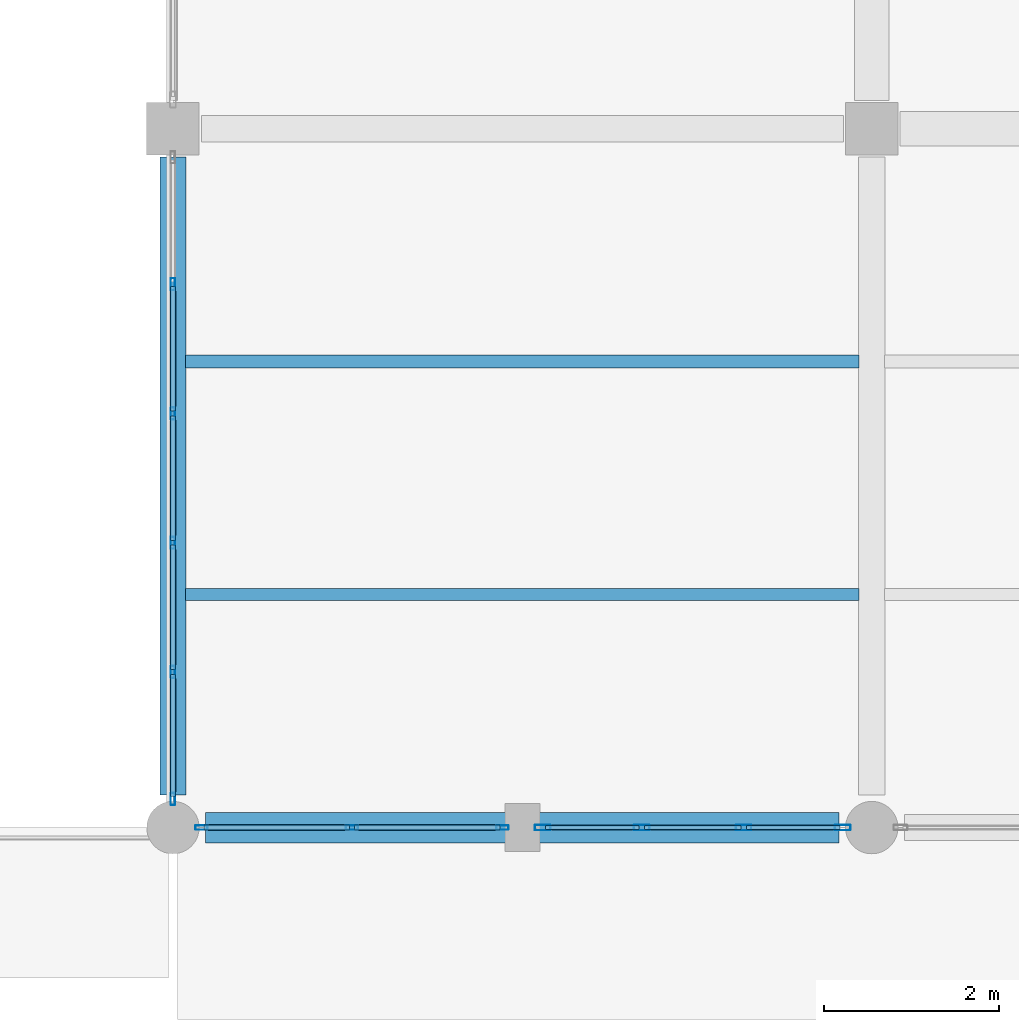
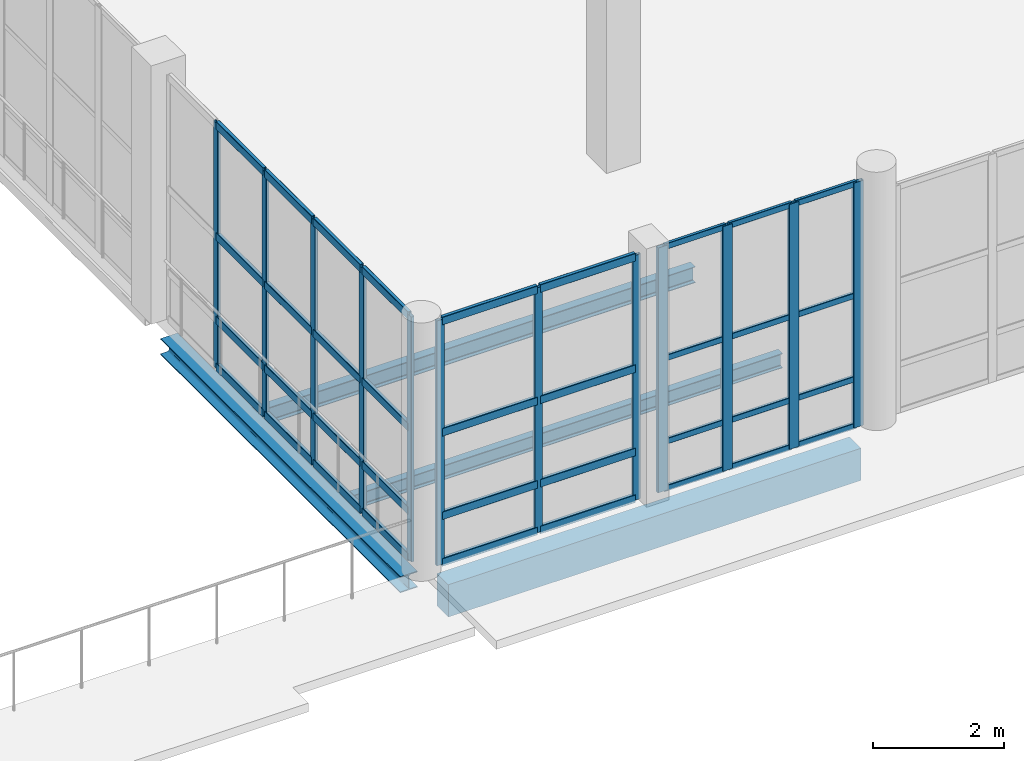
# One storey, part 41 of 156: 48 members, 4 beams, 3 elements without a shape of their own.
"""IFC4 building model written with IfcOpenShell, lengths in metres."""

from ifc_helpers import new_model, si_unit, direction, frame, origin, origin_2d, place, context, subcontext, project, spatial, rectangle, hollow_rectangle, i_section, extrude, material, material_profile, profile_set, type_object, element, aggregate, save


model = new_model("IFC4")

# Units and contexts
model_context = context("Model", 3, precision=1e-05, world=origin(), true_north=direction((0.0, 1.0)))
body_context = subcontext(model_context, "Body", "Model", "MODEL_VIEW")
ifc_project = project(units=[si_unit("LENGTHUNIT", "METRE"), si_unit("AREAUNIT", "SQUARE_METRE"), si_unit("VOLUMEUNIT", "CUBIC_METRE"), si_unit("PLANEANGLEUNIT", "RADIAN"), si_unit("MASSUNIT", "GRAM", prefix="KILO")], contexts=[model_context])

# Site, building, storey
site_placement = place(None, origin())
site = spatial("IfcSite", under=ifc_project, at=site_placement, CompositionType="ELEMENT")
building_placement = place(site_placement, origin())
building = spatial("IfcBuilding", under=site, at=building_placement, Name="Luwemba Playhouse", CompositionType="ELEMENT")
storey_placement = place(building_placement, origin())
storey = spatial("IfcBuildingStorey", under=building, at=storey_placement, Name="L00", CompositionType="ELEMENT", Elevation=0.0)

# Beams
ifc_material_1 = material(Name="Steel S355", Category="steel")
ifc_material_profile_1 = material_profile(ifc_material_1, i_section(OverallWidth=0.135009765625, OverallDepth=0.27001953125, WebThickness=0.006591796875, FlangeThickness=0.01025390625, FilletRadius=0.014892578125, at=origin_2d()))
ifc_profile_set_1 = profile_set([ifc_material_profile_1], Name="Steel S355")
beam_type_1 = type_object("IfcBeamType", Name="BM-SJ04", PredefinedType="JOIST", material=ifc_profile_set_1)
beam_1_placement = place(storey_placement, frame((116.14599609375, 5.666748046875, -0.43505859375), z_axis=(1.0, 0.0, 0.0), x_axis=(0.0, 1.0, 0.0)))
element("IfcBeam", 1, at=beam_1_placement, inside=storey, type_object=beam_type_1, Name="L00 composite floor joist 0156", PredefinedType="JOIST", context=body_context, shape_type="SweptSolid", body=[
    extrude(i_section(OverallWidth=0.135009765625, OverallDepth=0.27001953125, WebThickness=0.006591796875, FlangeThickness=0.01025390625, FilletRadius=0.014892578125, at=origin_2d()), origin(), (0.0, 0.0, 1.0), 7.7080078125),
])
ifc_material_profile_2 = material_profile(ifc_material_1, i_section(OverallWidth=0.14990234375, OverallDepth=0.300048828125, WebThickness=0.007080078125, FlangeThickness=0.0107421875, FilletRadius=0.014892578125, at=origin_2d()))
ifc_profile_set_2 = profile_set([ifc_material_profile_2], Name="Steel S355")
beam_type_2 = type_object("IfcBeamType", Name="BM-SJ05", PredefinedType="JOIST", material=ifc_profile_set_2)
beam_2_placement = place(storey_placement, frame((116.14599609375, 8.333251953125, -0.449951171875), z_axis=(1.0, 0.0, 0.0), x_axis=(0.0, 1.0, 0.0)))
element("IfcBeam", 2, at=beam_2_placement, inside=storey, type_object=beam_type_2, Name="L00 composite floor joist 0157", PredefinedType="JOIST", context=body_context, shape_type="SweptSolid", body=[
    extrude(i_section(OverallWidth=0.14990234375, OverallDepth=0.300048828125, WebThickness=0.007080078125, FlangeThickness=0.0107421875, FilletRadius=0.014892578125, at=origin_2d()), origin(), (0.0, 0.0, 1.0), 7.7080078125),
])
ifc_material_2 = material(Name="Concrete C40/50", Category="concrete")
ifc_material_profile_3 = material_profile(ifc_material_2, rectangle(XDim=0.35009765625, YDim=0.60009765625, at=origin_2d()))
ifc_profile_set_3 = profile_set([ifc_material_profile_3], Name="Concrete C40/50")
beam_type_3 = type_object("IfcBeamType", Name="BM-SP3", PredefinedType="SPANDREL", material=ifc_profile_set_3)
beam_3_placement = place(storey_placement, frame((116.375, 3.0, -0.60009765625), z_axis=(1.0, 0.0, 0.0), x_axis=(0.0, 1.0, 0.0)))
element("IfcBeam", 3, at=beam_3_placement, inside=storey, type_object=beam_type_3, Name="L00 grid girder 0202", PredefinedType="SPANDREL", context=body_context, shape_type="SweptSolid", body=[
    extrude(rectangle(XDim=0.35009765625, YDim=0.60009765625, at=origin_2d()), origin(), (0.0, 0.0, 1.0), 7.25),
])
ifc_material_profile_4 = material_profile(ifc_material_1, i_section(OverallWidth=0.300048828125, OverallDepth=0.300048828125, WebThickness=0.010986328125, FlangeThickness=0.01904296875, FilletRadius=0.027099609375, at=origin_2d()))
ifc_profile_set_4 = profile_set([ifc_material_profile_4], Name="Steel S355")
beam_type_4 = type_object("IfcBeamType", Name="BM-SSP1", PredefinedType="SPANDREL", material=ifc_profile_set_4)
beam_4_placement = place(storey_placement, frame((116.0, 3.375, -0.449951171875), z_axis=(0.0, 1.0, 0.0), x_axis=(-1.0, 0.0, 0.0)))
element("IfcBeam", 4, at=beam_4_placement, inside=storey, type_object=beam_type_4, Name="L00 transverse girder 0230", PredefinedType="SPANDREL", context=body_context, shape_type="SweptSolid", body=[
    extrude(i_section(OverallWidth=0.300048828125, OverallDepth=0.300048828125, WebThickness=0.010986328125, FlangeThickness=0.01904296875, FilletRadius=0.027099609375, at=origin_2d()), origin(), (0.0, 0.0, 1.0), 7.300048828125),
])

# Curtain wall, members
ifc_material_3 = material(Name="Solar-control double glazing", Category="glass")
curtain_wall_type_1 = type_object("IfcCurtainWallType", Name="CW-CW47", PredefinedType="USERDEFINED", material=ifc_material_3)
curtain_wall_1_placement = place(storey_placement, origin())
curtain_wall_1 = element("IfcCurtainWall", 5, at=curtain_wall_1_placement, inside=storey, type_object=curtain_wall_type_1, Name="L00 V5E unitised curtain wall 080", ObjectType="UNITISED GLAZING", PredefinedType="USERDEFINED")
ifc_material_4 = material(Name="Aluminium 6063-T6", Category="aluminium")
ifc_material_profile_5 = material_profile(ifc_material_4, hollow_rectangle(XDim=0.06494140625, YDim=0.179931640625, WallThickness=0.00439453125, InnerFilletRadius=0.0068359375, OuterFilletRadius=0.01123046875, at=origin_2d()))
ifc_profile_set_5 = profile_set([ifc_material_profile_5], Name="Aluminium 6063-T6")
member_type_1 = type_object("IfcMemberType", Name="CWM-M2", PredefinedType="MULLION", material=ifc_profile_set_5)
member_1_placement = place(storey_placement, frame((123.66748046875, 3.0, 0.0), z_axis=(0.0, 0.0, 1.0), x_axis=(0.0, -1.0, 0.0)))
member_1 = element("IfcMember", 6, at=member_1_placement, type_object=member_type_1, Name="CW47 mullion 1", PredefinedType="MULLION", context=body_context, shape_type="SweptSolid", body=[
    extrude(hollow_rectangle(XDim=0.06494140625, YDim=0.179931640625, WallThickness=0.00439453125, InnerFilletRadius=0.0068359375, OuterFilletRadius=0.01123046875, at=origin_2d()), origin(), (0.0, 0.0, 1.0), 4.550048828125),
])
member_2_placement = place(storey_placement, frame((122.533447265625, 3.0, 0.0), z_axis=(0.0, 0.0, 1.0), x_axis=(0.0, -1.0, 0.0)))
member_2 = element("IfcMember", 7, at=member_2_placement, type_object=member_type_1, Name="CW47 mullion 2", PredefinedType="MULLION", context=body_context, shape_type="SweptSolid", body=[
    extrude(hollow_rectangle(XDim=0.06494140625, YDim=0.179931640625, WallThickness=0.00439453125, InnerFilletRadius=0.0068359375, OuterFilletRadius=0.01123046875, at=origin_2d()), origin(), (0.0, 0.0, 1.0), 4.550048828125),
])
member_3_placement = place(storey_placement, frame((121.36669921875, 3.0, 0.0), z_axis=(0.0, 0.0, 1.0), x_axis=(0.0, -1.0, 0.0)))
member_3 = element("IfcMember", 8, at=member_3_placement, type_object=member_type_1, Name="CW47 mullion 3", PredefinedType="MULLION", context=body_context, shape_type="SweptSolid", body=[
    extrude(hollow_rectangle(XDim=0.06494140625, YDim=0.179931640625, WallThickness=0.00439453125, InnerFilletRadius=0.0068359375, OuterFilletRadius=0.01123046875, at=origin_2d()), origin(), (0.0, 0.0, 1.0), 4.550048828125),
])
member_4_placement = place(storey_placement, frame((120.232421875, 3.0, 0.0), z_axis=(0.0, 0.0, 1.0), x_axis=(0.0, -1.0, 0.0)))
member_4 = element("IfcMember", 9, at=member_4_placement, type_object=member_type_1, Name="CW47 mullion 4", PredefinedType="MULLION", context=body_context, shape_type="SweptSolid", body=[
    extrude(hollow_rectangle(XDim=0.06494140625, YDim=0.179931640625, WallThickness=0.00439453125, InnerFilletRadius=0.0068359375, OuterFilletRadius=0.01123046875, at=origin_2d()), origin(), (0.0, 0.0, 1.0), 4.550048828125),
])

curtain_wall_type_2 = type_object("IfcCurtainWallType", Name="CW-CW44", PredefinedType="USERDEFINED", material=ifc_material_3)
curtain_wall_2_placement = place(storey_placement, origin())
curtain_wall_2 = element("IfcCurtainWall", 10, at=curtain_wall_2_placement, inside=storey, type_object=curtain_wall_type_2, Name="L00 V5E unitised curtain wall 053", ObjectType="UNITISED GLAZING", PredefinedType="USERDEFINED")
ifc_material_profile_6 = material_profile(ifc_material_4, hollow_rectangle(XDim=0.054931640625, YDim=0.139892578125, WallThickness=0.00390625, InnerFilletRadius=0.006103515625, OuterFilletRadius=0.010009765625, at=origin_2d()))
ifc_profile_set_6 = profile_set([ifc_material_profile_6], Name="Aluminium 6063-T6")
member_type_2 = type_object("IfcMemberType", Name="CWM-M3", PredefinedType="MULLION", material=ifc_profile_set_6)
member_5_placement = place(storey_placement, frame((116.0, 3.327392578125, 0.0), z_axis=(0.0, 0.0, 1.0), x_axis=(-1.0, 0.0, 0.0)))
member_5 = element("IfcMember", 11, at=member_5_placement, type_object=member_type_2, Name="CW44 mullion 1", PredefinedType="MULLION", context=body_context, shape_type="SweptSolid", body=[
    extrude(hollow_rectangle(XDim=0.054931640625, YDim=0.139892578125, WallThickness=0.00390625, InnerFilletRadius=0.006103515625, OuterFilletRadius=0.010009765625, at=origin_2d()), origin(), (0.0, 0.0, 1.0), 4.550048828125),
])
member_6_placement = place(storey_placement, frame((116.0, 4.780029296875, 0.0), z_axis=(0.0, 0.0, 1.0), x_axis=(-1.0, 0.0, 0.0)))
member_6 = element("IfcMember", 12, at=member_6_placement, type_object=member_type_2, Name="CW44 mullion 2", PredefinedType="MULLION", context=body_context, shape_type="SweptSolid", body=[
    extrude(hollow_rectangle(XDim=0.054931640625, YDim=0.139892578125, WallThickness=0.00390625, InnerFilletRadius=0.006103515625, OuterFilletRadius=0.010009765625, at=origin_2d()), origin(), (0.0, 0.0, 1.0), 4.550048828125),
])
member_7_placement = place(storey_placement, frame((116.0, 6.260009765625, 0.0), z_axis=(0.0, 0.0, 1.0), x_axis=(-1.0, 0.0, 0.0)))
member_7 = element("IfcMember", 13, at=member_7_placement, type_object=member_type_2, Name="CW44 mullion 3", PredefinedType="MULLION", context=body_context, shape_type="SweptSolid", body=[
    extrude(hollow_rectangle(XDim=0.054931640625, YDim=0.139892578125, WallThickness=0.00390625, InnerFilletRadius=0.006103515625, OuterFilletRadius=0.010009765625, at=origin_2d()), origin(), (0.0, 0.0, 1.0), 4.550048828125),
])
member_8_placement = place(storey_placement, frame((116.0, 7.739990234375, 0.0), z_axis=(0.0, 0.0, 1.0), x_axis=(-1.0, 0.0, 0.0)))
member_8 = element("IfcMember", 14, at=member_8_placement, type_object=member_type_2, Name="CW44 mullion 4", PredefinedType="MULLION", context=body_context, shape_type="SweptSolid", body=[
    extrude(hollow_rectangle(XDim=0.054931640625, YDim=0.139892578125, WallThickness=0.00390625, InnerFilletRadius=0.006103515625, OuterFilletRadius=0.010009765625, at=origin_2d()), origin(), (0.0, 0.0, 1.0), 4.550048828125),
])
member_9_placement = place(storey_placement, frame((116.0, 9.219970703125, 0.0), z_axis=(0.0, 0.0, 1.0), x_axis=(-1.0, 0.0, 0.0)))
member_9 = element("IfcMember", 15, at=member_9_placement, type_object=member_type_2, Name="CW44 mullion 5", PredefinedType="MULLION", context=body_context, shape_type="SweptSolid", body=[
    extrude(hollow_rectangle(XDim=0.054931640625, YDim=0.139892578125, WallThickness=0.00390625, InnerFilletRadius=0.006103515625, OuterFilletRadius=0.010009765625, at=origin_2d()), origin(), (0.0, 0.0, 1.0), 4.550048828125),
])

curtain_wall_type_3 = type_object("IfcCurtainWallType", Name="CW-CW48", PredefinedType="USERDEFINED", material=ifc_material_3)
curtain_wall_3_placement = place(storey_placement, origin())
curtain_wall_3 = element("IfcCurtainWall", 16, at=curtain_wall_3_placement, inside=storey, type_object=curtain_wall_type_3, Name="L00 V5E unitised curtain wall 081", ObjectType="UNITISED GLAZING", PredefinedType="USERDEFINED")
member_10_placement = place(storey_placement, frame((119.7724609375, 3.0, 0.0), z_axis=(0.0, 0.0, 1.0), x_axis=(0.0, -1.0, 0.0)))
member_10 = element("IfcMember", 17, at=member_10_placement, type_object=member_type_2, Name="CW48 mullion 1", PredefinedType="MULLION", context=body_context, shape_type="SweptSolid", body=[
    extrude(hollow_rectangle(XDim=0.054931640625, YDim=0.139892578125, WallThickness=0.00390625, InnerFilletRadius=0.006103515625, OuterFilletRadius=0.010009765625, at=origin_2d()), origin(), (0.0, 0.0, 1.0), 4.550048828125),
])
member_11_placement = place(storey_placement, frame((118.050048828125, 3.0, 0.0), z_axis=(0.0, 0.0, 1.0), x_axis=(0.0, -1.0, 0.0)))
member_11 = element("IfcMember", 18, at=member_11_placement, type_object=member_type_2, Name="CW48 mullion 2", PredefinedType="MULLION", context=body_context, shape_type="SweptSolid", body=[
    extrude(hollow_rectangle(XDim=0.054931640625, YDim=0.139892578125, WallThickness=0.00390625, InnerFilletRadius=0.006103515625, OuterFilletRadius=0.010009765625, at=origin_2d()), origin(), (0.0, 0.0, 1.0), 4.550048828125),
])
member_12_placement = place(storey_placement, frame((116.327392578125, 3.0, 0.0), z_axis=(0.0, 0.0, 1.0), x_axis=(0.0, -1.0, 0.0)))
member_12 = element("IfcMember", 19, at=member_12_placement, type_object=member_type_2, Name="CW48 mullion 3", PredefinedType="MULLION", context=body_context, shape_type="SweptSolid", body=[
    extrude(hollow_rectangle(XDim=0.054931640625, YDim=0.139892578125, WallThickness=0.00390625, InnerFilletRadius=0.006103515625, OuterFilletRadius=0.010009765625, at=origin_2d()), origin(), (0.0, 0.0, 1.0), 4.550048828125),
])

# Member
ifc_material_profile_7 = material_profile(ifc_material_4, hollow_rectangle(XDim=0.054931640625, YDim=0.110107421875, WallThickness=0.00341796875, InnerFilletRadius=0.00537109375, OuterFilletRadius=0.0087890625, at=origin_2d()))
ifc_profile_set_7 = profile_set([ifc_material_profile_7], Name="Aluminium 6063-T6")
member_type_3 = type_object("IfcMemberType", Name="CWT-T2", PredefinedType="USERDEFINED", material=ifc_profile_set_7)
member_13_placement = place(storey_placement, frame((123.635009765625, 3.0, 0.027587890625), z_axis=(-1.0, 0.0, 0.0), x_axis=(0.0, -1.0, 0.0)))
member_13 = element("IfcMember", 20, at=member_13_placement, type_object=member_type_3, Name="CW47 transom 1.1", ObjectType="TRANSOM", PredefinedType="USERDEFINED", context=body_context, shape_type="SweptSolid", body=[
    extrude(hollow_rectangle(XDim=0.054931640625, YDim=0.110107421875, WallThickness=0.00341796875, InnerFilletRadius=0.00537109375, OuterFilletRadius=0.0087890625, at=origin_2d()), origin(), (0.0, 0.0, 1.0), 1.069091796875),
])

member_14_placement = place(storey_placement, frame((123.635009765625, 3.0, 0.89990234375), z_axis=(-1.0, 0.0, 0.0), x_axis=(0.0, -1.0, 0.0)))
member_14 = element("IfcMember", 21, at=member_14_placement, type_object=member_type_3, Name="CW47 transom 1.2", ObjectType="TRANSOM", PredefinedType="USERDEFINED", context=body_context, shape_type="SweptSolid", body=[
    extrude(hollow_rectangle(XDim=0.054931640625, YDim=0.110107421875, WallThickness=0.00341796875, InnerFilletRadius=0.00537109375, OuterFilletRadius=0.0087890625, at=origin_2d()), origin(), (0.0, 0.0, 1.0), 1.069091796875),
])

member_15_placement = place(storey_placement, frame((123.635009765625, 3.0, 2.449951171875), z_axis=(-1.0, 0.0, 0.0), x_axis=(0.0, -1.0, 0.0)))
member_15 = element("IfcMember", 22, at=member_15_placement, type_object=member_type_3, Name="CW47 transom 1.3", ObjectType="TRANSOM", PredefinedType="USERDEFINED", context=body_context, shape_type="SweptSolid", body=[
    extrude(hollow_rectangle(XDim=0.054931640625, YDim=0.110107421875, WallThickness=0.00341796875, InnerFilletRadius=0.00537109375, OuterFilletRadius=0.0087890625, at=origin_2d()), origin(), (0.0, 0.0, 1.0), 1.069091796875),
])

member_16_placement = place(storey_placement, frame((123.635009765625, 3.0, 4.5224609375), z_axis=(-1.0, 0.0, 0.0), x_axis=(0.0, -1.0, 0.0)))
member_16 = element("IfcMember", 23, at=member_16_placement, type_object=member_type_3, Name="CW47 transom 1.4", ObjectType="TRANSOM", PredefinedType="USERDEFINED", context=body_context, shape_type="SweptSolid", body=[
    extrude(hollow_rectangle(XDim=0.054931640625, YDim=0.110107421875, WallThickness=0.00341796875, InnerFilletRadius=0.00537109375, OuterFilletRadius=0.0087890625, at=origin_2d()), origin(), (0.0, 0.0, 1.0), 1.069091796875),
])

member_17_placement = place(storey_placement, frame((122.500732421875, 3.0, 0.027587890625), z_axis=(-1.0, 0.0, 0.0), x_axis=(0.0, -1.0, 0.0)))
member_17 = element("IfcMember", 24, at=member_17_placement, type_object=member_type_3, Name="CW47 transom 2.1", ObjectType="TRANSOM", PredefinedType="USERDEFINED", context=body_context, shape_type="SweptSolid", body=[
    extrude(hollow_rectangle(XDim=0.054931640625, YDim=0.110107421875, WallThickness=0.00341796875, InnerFilletRadius=0.00537109375, OuterFilletRadius=0.0087890625, at=origin_2d()), origin(), (0.0, 0.0, 1.0), 1.1015625),
])

member_18_placement = place(storey_placement, frame((122.500732421875, 3.0, 0.89990234375), z_axis=(-1.0, 0.0, 0.0), x_axis=(0.0, -1.0, 0.0)))
member_18 = element("IfcMember", 25, at=member_18_placement, type_object=member_type_3, Name="CW47 transom 2.2", ObjectType="TRANSOM", PredefinedType="USERDEFINED", context=body_context, shape_type="SweptSolid", body=[
    extrude(hollow_rectangle(XDim=0.054931640625, YDim=0.110107421875, WallThickness=0.00341796875, InnerFilletRadius=0.00537109375, OuterFilletRadius=0.0087890625, at=origin_2d()), origin(), (0.0, 0.0, 1.0), 1.1015625),
])

member_19_placement = place(storey_placement, frame((122.500732421875, 3.0, 2.449951171875), z_axis=(-1.0, 0.0, 0.0), x_axis=(0.0, -1.0, 0.0)))
member_19 = element("IfcMember", 26, at=member_19_placement, type_object=member_type_3, Name="CW47 transom 2.3", ObjectType="TRANSOM", PredefinedType="USERDEFINED", context=body_context, shape_type="SweptSolid", body=[
    extrude(hollow_rectangle(XDim=0.054931640625, YDim=0.110107421875, WallThickness=0.00341796875, InnerFilletRadius=0.00537109375, OuterFilletRadius=0.0087890625, at=origin_2d()), origin(), (0.0, 0.0, 1.0), 1.1015625),
])

member_20_placement = place(storey_placement, frame((122.500732421875, 3.0, 4.5224609375), z_axis=(-1.0, 0.0, 0.0), x_axis=(0.0, -1.0, 0.0)))
member_20 = element("IfcMember", 27, at=member_20_placement, type_object=member_type_3, Name="CW47 transom 2.4", ObjectType="TRANSOM", PredefinedType="USERDEFINED", context=body_context, shape_type="SweptSolid", body=[
    extrude(hollow_rectangle(XDim=0.054931640625, YDim=0.110107421875, WallThickness=0.00341796875, InnerFilletRadius=0.00537109375, OuterFilletRadius=0.0087890625, at=origin_2d()), origin(), (0.0, 0.0, 1.0), 1.1015625),
])

member_21_placement = place(storey_placement, frame((121.334228515625, 3.0, 0.027587890625), z_axis=(-1.0, 0.0, 0.0), x_axis=(0.0, -1.0, 0.0)))
member_21 = element("IfcMember", 28, at=member_21_placement, type_object=member_type_3, Name="CW47 transom 3.1", ObjectType="TRANSOM", PredefinedType="USERDEFINED", context=body_context, shape_type="SweptSolid", body=[
    extrude(hollow_rectangle(XDim=0.054931640625, YDim=0.110107421875, WallThickness=0.00341796875, InnerFilletRadius=0.00537109375, OuterFilletRadius=0.0087890625, at=origin_2d()), origin(), (0.0, 0.0, 1.0), 1.0693359375),
])

member_22_placement = place(storey_placement, frame((121.334228515625, 3.0, 0.89990234375), z_axis=(-1.0, 0.0, 0.0), x_axis=(0.0, -1.0, 0.0)))
member_22 = element("IfcMember", 29, at=member_22_placement, type_object=member_type_3, Name="CW47 transom 3.2", ObjectType="TRANSOM", PredefinedType="USERDEFINED", context=body_context, shape_type="SweptSolid", body=[
    extrude(hollow_rectangle(XDim=0.054931640625, YDim=0.110107421875, WallThickness=0.00341796875, InnerFilletRadius=0.00537109375, OuterFilletRadius=0.0087890625, at=origin_2d()), origin(), (0.0, 0.0, 1.0), 1.0693359375),
])

member_23_placement = place(storey_placement, frame((121.334228515625, 3.0, 2.449951171875), z_axis=(-1.0, 0.0, 0.0), x_axis=(0.0, -1.0, 0.0)))
member_23 = element("IfcMember", 30, at=member_23_placement, type_object=member_type_3, Name="CW47 transom 3.3", ObjectType="TRANSOM", PredefinedType="USERDEFINED", context=body_context, shape_type="SweptSolid", body=[
    extrude(hollow_rectangle(XDim=0.054931640625, YDim=0.110107421875, WallThickness=0.00341796875, InnerFilletRadius=0.00537109375, OuterFilletRadius=0.0087890625, at=origin_2d()), origin(), (0.0, 0.0, 1.0), 1.0693359375),
])

member_24_placement = place(storey_placement, frame((121.334228515625, 3.0, 4.5224609375), z_axis=(-1.0, 0.0, 0.0), x_axis=(0.0, -1.0, 0.0)))
member_24 = element("IfcMember", 31, at=member_24_placement, type_object=member_type_3, Name="CW47 transom 3.4", ObjectType="TRANSOM", PredefinedType="USERDEFINED", context=body_context, shape_type="SweptSolid", body=[
    extrude(hollow_rectangle(XDim=0.054931640625, YDim=0.110107421875, WallThickness=0.00341796875, InnerFilletRadius=0.00537109375, OuterFilletRadius=0.0087890625, at=origin_2d()), origin(), (0.0, 0.0, 1.0), 1.0693359375),
])

aggregate(curtain_wall_1, [member_1, member_2, member_3, member_4, member_13, member_14, member_15, member_16, member_17, member_18, member_19, member_20, member_21, member_22, member_23, member_24])

ifc_material_profile_8 = material_profile(ifc_material_4, hollow_rectangle(XDim=0.06494140625, YDim=0.14990234375, WallThickness=0.00390625, InnerFilletRadius=0.006103515625, OuterFilletRadius=0.010009765625, at=origin_2d()))
ifc_profile_set_8 = profile_set([ifc_material_profile_8], Name="Aluminium 6063-T6")
member_type_4 = type_object("IfcMemberType", Name="CWT-T3", PredefinedType="USERDEFINED", material=ifc_profile_set_8)
member_25_placement = place(storey_placement, frame((116.0, 3.35498046875, 0.032470703125), z_axis=(0.0, 1.0, 0.0), x_axis=(-1.0, 0.0, 0.0)))
member_25 = element("IfcMember", 32, at=member_25_placement, type_object=member_type_4, Name="CW44 transom 1.1", ObjectType="TRANSOM", PredefinedType="USERDEFINED", context=body_context, shape_type="SweptSolid", body=[
    extrude(hollow_rectangle(XDim=0.06494140625, YDim=0.14990234375, WallThickness=0.00390625, InnerFilletRadius=0.006103515625, OuterFilletRadius=0.010009765625, at=origin_2d()), origin(), (0.0, 0.0, 1.0), 1.3974609375),
])

member_26_placement = place(storey_placement, frame((116.0, 3.35498046875, 0.89990234375), z_axis=(0.0, 1.0, 0.0), x_axis=(-1.0, 0.0, 0.0)))
member_26 = element("IfcMember", 33, at=member_26_placement, type_object=member_type_4, Name="CW44 transom 1.2", ObjectType="TRANSOM", PredefinedType="USERDEFINED", context=body_context, shape_type="SweptSolid", body=[
    extrude(hollow_rectangle(XDim=0.06494140625, YDim=0.14990234375, WallThickness=0.00390625, InnerFilletRadius=0.006103515625, OuterFilletRadius=0.010009765625, at=origin_2d()), origin(), (0.0, 0.0, 1.0), 1.3974609375),
])

member_27_placement = place(storey_placement, frame((116.0, 3.35498046875, 2.449951171875), z_axis=(0.0, 1.0, 0.0), x_axis=(-1.0, 0.0, 0.0)))
member_27 = element("IfcMember", 34, at=member_27_placement, type_object=member_type_4, Name="CW44 transom 1.3", ObjectType="TRANSOM", PredefinedType="USERDEFINED", context=body_context, shape_type="SweptSolid", body=[
    extrude(hollow_rectangle(XDim=0.06494140625, YDim=0.14990234375, WallThickness=0.00390625, InnerFilletRadius=0.006103515625, OuterFilletRadius=0.010009765625, at=origin_2d()), origin(), (0.0, 0.0, 1.0), 1.3974609375),
])

member_28_placement = place(storey_placement, frame((116.0, 3.35498046875, 4.517578125), z_axis=(0.0, 1.0, 0.0), x_axis=(-1.0, 0.0, 0.0)))
member_28 = element("IfcMember", 35, at=member_28_placement, type_object=member_type_4, Name="CW44 transom 1.4", ObjectType="TRANSOM", PredefinedType="USERDEFINED", context=body_context, shape_type="SweptSolid", body=[
    extrude(hollow_rectangle(XDim=0.06494140625, YDim=0.14990234375, WallThickness=0.00390625, InnerFilletRadius=0.006103515625, OuterFilletRadius=0.010009765625, at=origin_2d()), origin(), (0.0, 0.0, 1.0), 1.3974609375),
])

member_29_placement = place(storey_placement, frame((116.0, 4.8076171875, 0.032470703125), z_axis=(0.0, 1.0, 0.0), x_axis=(-1.0, 0.0, 0.0)))
member_29 = element("IfcMember", 36, at=member_29_placement, type_object=member_type_4, Name="CW44 transom 2.1", ObjectType="TRANSOM", PredefinedType="USERDEFINED", context=body_context, shape_type="SweptSolid", body=[
    extrude(hollow_rectangle(XDim=0.06494140625, YDim=0.14990234375, WallThickness=0.00390625, InnerFilletRadius=0.006103515625, OuterFilletRadius=0.010009765625, at=origin_2d()), origin(), (0.0, 0.0, 1.0), 1.4248046875),
])

member_30_placement = place(storey_placement, frame((116.0, 4.8076171875, 0.89990234375), z_axis=(0.0, 1.0, 0.0), x_axis=(-1.0, 0.0, 0.0)))
member_30 = element("IfcMember", 37, at=member_30_placement, type_object=member_type_4, Name="CW44 transom 2.2", ObjectType="TRANSOM", PredefinedType="USERDEFINED", context=body_context, shape_type="SweptSolid", body=[
    extrude(hollow_rectangle(XDim=0.06494140625, YDim=0.14990234375, WallThickness=0.00390625, InnerFilletRadius=0.006103515625, OuterFilletRadius=0.010009765625, at=origin_2d()), origin(), (0.0, 0.0, 1.0), 1.4248046875),
])

member_31_placement = place(storey_placement, frame((116.0, 4.8076171875, 2.449951171875), z_axis=(0.0, 1.0, 0.0), x_axis=(-1.0, 0.0, 0.0)))
member_31 = element("IfcMember", 38, at=member_31_placement, type_object=member_type_4, Name="CW44 transom 2.3", ObjectType="TRANSOM", PredefinedType="USERDEFINED", context=body_context, shape_type="SweptSolid", body=[
    extrude(hollow_rectangle(XDim=0.06494140625, YDim=0.14990234375, WallThickness=0.00390625, InnerFilletRadius=0.006103515625, OuterFilletRadius=0.010009765625, at=origin_2d()), origin(), (0.0, 0.0, 1.0), 1.4248046875),
])

member_32_placement = place(storey_placement, frame((116.0, 4.8076171875, 4.517578125), z_axis=(0.0, 1.0, 0.0), x_axis=(-1.0, 0.0, 0.0)))
member_32 = element("IfcMember", 39, at=member_32_placement, type_object=member_type_4, Name="CW44 transom 2.4", ObjectType="TRANSOM", PredefinedType="USERDEFINED", context=body_context, shape_type="SweptSolid", body=[
    extrude(hollow_rectangle(XDim=0.06494140625, YDim=0.14990234375, WallThickness=0.00390625, InnerFilletRadius=0.006103515625, OuterFilletRadius=0.010009765625, at=origin_2d()), origin(), (0.0, 0.0, 1.0), 1.4248046875),
])

member_33_placement = place(storey_placement, frame((116.0, 6.28759765625, 0.032470703125), z_axis=(0.0, 1.0, 0.0), x_axis=(-1.0, 0.0, 0.0)))
member_33 = element("IfcMember", 40, at=member_33_placement, type_object=member_type_4, Name="CW44 transom 3.1", ObjectType="TRANSOM", PredefinedType="USERDEFINED", context=body_context, shape_type="SweptSolid", body=[
    extrude(hollow_rectangle(XDim=0.06494140625, YDim=0.14990234375, WallThickness=0.00390625, InnerFilletRadius=0.006103515625, OuterFilletRadius=0.010009765625, at=origin_2d()), origin(), (0.0, 0.0, 1.0), 1.4248046875),
])

member_34_placement = place(storey_placement, frame((116.0, 6.28759765625, 0.89990234375), z_axis=(0.0, 1.0, 0.0), x_axis=(-1.0, 0.0, 0.0)))
member_34 = element("IfcMember", 41, at=member_34_placement, type_object=member_type_4, Name="CW44 transom 3.2", ObjectType="TRANSOM", PredefinedType="USERDEFINED", context=body_context, shape_type="SweptSolid", body=[
    extrude(hollow_rectangle(XDim=0.06494140625, YDim=0.14990234375, WallThickness=0.00390625, InnerFilletRadius=0.006103515625, OuterFilletRadius=0.010009765625, at=origin_2d()), origin(), (0.0, 0.0, 1.0), 1.4248046875),
])

member_35_placement = place(storey_placement, frame((116.0, 6.28759765625, 2.449951171875), z_axis=(0.0, 1.0, 0.0), x_axis=(-1.0, 0.0, 0.0)))
member_35 = element("IfcMember", 42, at=member_35_placement, type_object=member_type_4, Name="CW44 transom 3.3", ObjectType="TRANSOM", PredefinedType="USERDEFINED", context=body_context, shape_type="SweptSolid", body=[
    extrude(hollow_rectangle(XDim=0.06494140625, YDim=0.14990234375, WallThickness=0.00390625, InnerFilletRadius=0.006103515625, OuterFilletRadius=0.010009765625, at=origin_2d()), origin(), (0.0, 0.0, 1.0), 1.4248046875),
])

member_36_placement = place(storey_placement, frame((116.0, 6.28759765625, 4.517578125), z_axis=(0.0, 1.0, 0.0), x_axis=(-1.0, 0.0, 0.0)))
member_36 = element("IfcMember", 43, at=member_36_placement, type_object=member_type_4, Name="CW44 transom 3.4", ObjectType="TRANSOM", PredefinedType="USERDEFINED", context=body_context, shape_type="SweptSolid", body=[
    extrude(hollow_rectangle(XDim=0.06494140625, YDim=0.14990234375, WallThickness=0.00390625, InnerFilletRadius=0.006103515625, OuterFilletRadius=0.010009765625, at=origin_2d()), origin(), (0.0, 0.0, 1.0), 1.4248046875),
])

member_37_placement = place(storey_placement, frame((116.0, 7.767578125, 0.032470703125), z_axis=(0.0, 1.0, 0.0), x_axis=(-1.0, 0.0, 0.0)))
member_37 = element("IfcMember", 44, at=member_37_placement, type_object=member_type_4, Name="CW44 transom 4.1", ObjectType="TRANSOM", PredefinedType="USERDEFINED", context=body_context, shape_type="SweptSolid", body=[
    extrude(hollow_rectangle(XDim=0.06494140625, YDim=0.14990234375, WallThickness=0.00390625, InnerFilletRadius=0.006103515625, OuterFilletRadius=0.010009765625, at=origin_2d()), origin(), (0.0, 0.0, 1.0), 1.4248046875),
])

member_38_placement = place(storey_placement, frame((116.0, 7.767578125, 0.89990234375), z_axis=(0.0, 1.0, 0.0), x_axis=(-1.0, 0.0, 0.0)))
member_38 = element("IfcMember", 45, at=member_38_placement, type_object=member_type_4, Name="CW44 transom 4.2", ObjectType="TRANSOM", PredefinedType="USERDEFINED", context=body_context, shape_type="SweptSolid", body=[
    extrude(hollow_rectangle(XDim=0.06494140625, YDim=0.14990234375, WallThickness=0.00390625, InnerFilletRadius=0.006103515625, OuterFilletRadius=0.010009765625, at=origin_2d()), origin(), (0.0, 0.0, 1.0), 1.4248046875),
])

member_39_placement = place(storey_placement, frame((116.0, 7.767578125, 2.449951171875), z_axis=(0.0, 1.0, 0.0), x_axis=(-1.0, 0.0, 0.0)))
member_39 = element("IfcMember", 46, at=member_39_placement, type_object=member_type_4, Name="CW44 transom 4.3", ObjectType="TRANSOM", PredefinedType="USERDEFINED", context=body_context, shape_type="SweptSolid", body=[
    extrude(hollow_rectangle(XDim=0.06494140625, YDim=0.14990234375, WallThickness=0.00390625, InnerFilletRadius=0.006103515625, OuterFilletRadius=0.010009765625, at=origin_2d()), origin(), (0.0, 0.0, 1.0), 1.4248046875),
])

member_40_placement = place(storey_placement, frame((116.0, 7.767578125, 4.517578125), z_axis=(0.0, 1.0, 0.0), x_axis=(-1.0, 0.0, 0.0)))
member_40 = element("IfcMember", 47, at=member_40_placement, type_object=member_type_4, Name="CW44 transom 4.4", ObjectType="TRANSOM", PredefinedType="USERDEFINED", context=body_context, shape_type="SweptSolid", body=[
    extrude(hollow_rectangle(XDim=0.06494140625, YDim=0.14990234375, WallThickness=0.00390625, InnerFilletRadius=0.006103515625, OuterFilletRadius=0.010009765625, at=origin_2d()), origin(), (0.0, 0.0, 1.0), 1.4248046875),
])

aggregate(curtain_wall_2, [member_5, member_6, member_7, member_8, member_9, member_25, member_26, member_27, member_28, member_29, member_30, member_31, member_32, member_33, member_34, member_35, member_36, member_37, member_38, member_39, member_40])

member_41_placement = place(storey_placement, frame((119.7451171875, 3.0, 0.032470703125), z_axis=(-1.0, 0.0, 0.0), x_axis=(0.0, -1.0, 0.0)))
member_41 = element("IfcMember", 48, at=member_41_placement, type_object=member_type_4, Name="CW48 transom 1.1", ObjectType="TRANSOM", PredefinedType="USERDEFINED", context=body_context, shape_type="SweptSolid", body=[
    extrude(hollow_rectangle(XDim=0.06494140625, YDim=0.14990234375, WallThickness=0.00390625, InnerFilletRadius=0.006103515625, OuterFilletRadius=0.010009765625, at=origin_2d()), origin(), (0.0, 0.0, 1.0), 1.667724609375),
])

member_42_placement = place(storey_placement, frame((119.7451171875, 3.0, 0.89990234375), z_axis=(-1.0, 0.0, 0.0), x_axis=(0.0, -1.0, 0.0)))
member_42 = element("IfcMember", 49, at=member_42_placement, type_object=member_type_4, Name="CW48 transom 1.2", ObjectType="TRANSOM", PredefinedType="USERDEFINED", context=body_context, shape_type="SweptSolid", body=[
    extrude(hollow_rectangle(XDim=0.06494140625, YDim=0.14990234375, WallThickness=0.00390625, InnerFilletRadius=0.006103515625, OuterFilletRadius=0.010009765625, at=origin_2d()), origin(), (0.0, 0.0, 1.0), 1.667724609375),
])

member_43_placement = place(storey_placement, frame((119.7451171875, 3.0, 2.449951171875), z_axis=(-1.0, 0.0, 0.0), x_axis=(0.0, -1.0, 0.0)))
member_43 = element("IfcMember", 50, at=member_43_placement, type_object=member_type_4, Name="CW48 transom 1.3", ObjectType="TRANSOM", PredefinedType="USERDEFINED", context=body_context, shape_type="SweptSolid", body=[
    extrude(hollow_rectangle(XDim=0.06494140625, YDim=0.14990234375, WallThickness=0.00390625, InnerFilletRadius=0.006103515625, OuterFilletRadius=0.010009765625, at=origin_2d()), origin(), (0.0, 0.0, 1.0), 1.667724609375),
])

member_44_placement = place(storey_placement, frame((119.7451171875, 3.0, 4.517578125), z_axis=(-1.0, 0.0, 0.0), x_axis=(0.0, -1.0, 0.0)))
member_44 = element("IfcMember", 51, at=member_44_placement, type_object=member_type_4, Name="CW48 transom 1.4", ObjectType="TRANSOM", PredefinedType="USERDEFINED", context=body_context, shape_type="SweptSolid", body=[
    extrude(hollow_rectangle(XDim=0.06494140625, YDim=0.14990234375, WallThickness=0.00390625, InnerFilletRadius=0.006103515625, OuterFilletRadius=0.010009765625, at=origin_2d()), origin(), (0.0, 0.0, 1.0), 1.667724609375),
])

member_45_placement = place(storey_placement, frame((118.0224609375, 3.0, 0.032470703125), z_axis=(-1.0, 0.0, 0.0), x_axis=(0.0, -1.0, 0.0)))
member_45 = element("IfcMember", 52, at=member_45_placement, type_object=member_type_4, Name="CW48 transom 2.1", ObjectType="TRANSOM", PredefinedType="USERDEFINED", context=body_context, shape_type="SweptSolid", body=[
    extrude(hollow_rectangle(XDim=0.06494140625, YDim=0.14990234375, WallThickness=0.00390625, InnerFilletRadius=0.006103515625, OuterFilletRadius=0.010009765625, at=origin_2d()), origin(), (0.0, 0.0, 1.0), 1.66748046875),
])

member_46_placement = place(storey_placement, frame((118.0224609375, 3.0, 0.89990234375), z_axis=(-1.0, 0.0, 0.0), x_axis=(0.0, -1.0, 0.0)))
member_46 = element("IfcMember", 53, at=member_46_placement, type_object=member_type_4, Name="CW48 transom 2.2", ObjectType="TRANSOM", PredefinedType="USERDEFINED", context=body_context, shape_type="SweptSolid", body=[
    extrude(hollow_rectangle(XDim=0.06494140625, YDim=0.14990234375, WallThickness=0.00390625, InnerFilletRadius=0.006103515625, OuterFilletRadius=0.010009765625, at=origin_2d()), origin(), (0.0, 0.0, 1.0), 1.66748046875),
])

member_47_placement = place(storey_placement, frame((118.0224609375, 3.0, 2.449951171875), z_axis=(-1.0, 0.0, 0.0), x_axis=(0.0, -1.0, 0.0)))
member_47 = element("IfcMember", 54, at=member_47_placement, type_object=member_type_4, Name="CW48 transom 2.3", ObjectType="TRANSOM", PredefinedType="USERDEFINED", context=body_context, shape_type="SweptSolid", body=[
    extrude(hollow_rectangle(XDim=0.06494140625, YDim=0.14990234375, WallThickness=0.00390625, InnerFilletRadius=0.006103515625, OuterFilletRadius=0.010009765625, at=origin_2d()), origin(), (0.0, 0.0, 1.0), 1.66748046875),
])

member_48_placement = place(storey_placement, frame((118.0224609375, 3.0, 4.517578125), z_axis=(-1.0, 0.0, 0.0), x_axis=(0.0, -1.0, 0.0)))
member_48 = element("IfcMember", 55, at=member_48_placement, type_object=member_type_4, Name="CW48 transom 2.4", ObjectType="TRANSOM", PredefinedType="USERDEFINED", context=body_context, shape_type="SweptSolid", body=[
    extrude(hollow_rectangle(XDim=0.06494140625, YDim=0.14990234375, WallThickness=0.00390625, InnerFilletRadius=0.006103515625, OuterFilletRadius=0.010009765625, at=origin_2d()), origin(), (0.0, 0.0, 1.0), 1.66748046875),
])

aggregate(curtain_wall_3, [member_10, member_11, member_12, member_41, member_42, member_43, member_44, member_45, member_46, member_47, member_48])

save(model, "model.ifc")
